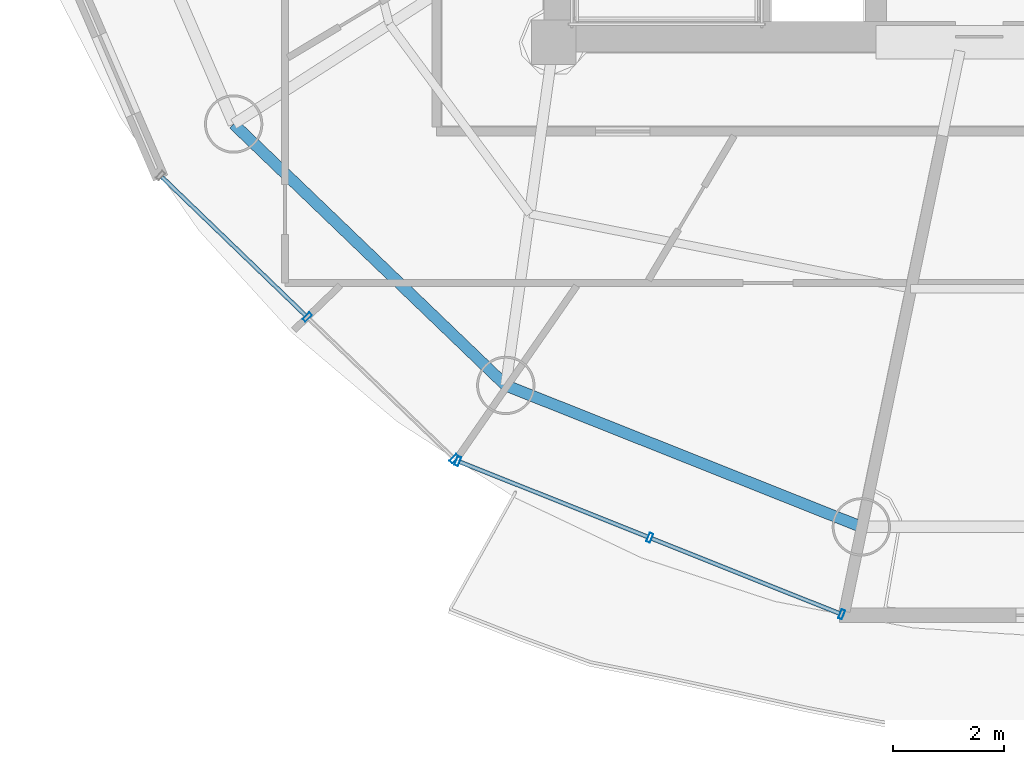
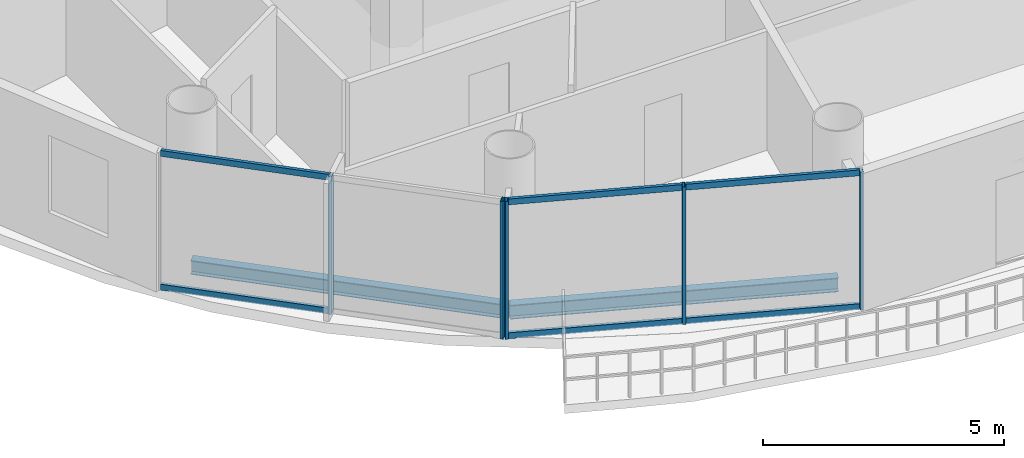
# One storey, part 2 of 23: 11 members, 2 beams, 2 elements without a shape of their own.
"""IFC4 building model written with IfcOpenShell, lengths in metres."""

from ifc_helpers import new_model, si_unit, direction, frame, origin, origin_2d, place, context, subcontext, project, spatial, hollow_rectangle, i_section, extrude, source, transform, mapped, material, material_profile, profile_set, type_object, element, aggregate, save


model = new_model("IFC4")

# Units and contexts
model_context = context("Model", 3, precision=1e-05, world=origin(), true_north=direction((-0.2419218956, 0.970295726276)))
body_context = subcontext(model_context, "Body", "Model", "MODEL_VIEW")
ifc_project = project(units=[si_unit("LENGTHUNIT", "METRE"), si_unit("AREAUNIT", "SQUARE_METRE"), si_unit("VOLUMEUNIT", "CUBIC_METRE"), si_unit("PLANEANGLEUNIT", "RADIAN"), si_unit("MASSUNIT", "GRAM", prefix="KILO")], contexts=[model_context])

# Site, building, storey
site_placement = place(None, origin())
site = spatial("IfcSite", under=ifc_project, at=site_placement, CompositionType="ELEMENT")
building_placement = place(site_placement, origin())
building = spatial("IfcBuilding", under=site, at=building_placement, Name="Cobrevalo Terracotta Tower", CompositionType="ELEMENT")
storey_placement = place(building_placement, frame((0.0, 0.0, 255.699951171875)))
storey = spatial("IfcBuildingStorey", under=building, at=storey_placement, Name="L67", CompositionType="ELEMENT", Elevation=255.699951171875)

# Beams
ifc_material_1 = material(Name="Steel S355", Category="steel")
ifc_material_profile_1 = material_profile(ifc_material_1, i_section(OverallWidth=0.205078125, OverallDepth=0.35400390625, WebThickness=0.009521484375, FlangeThickness=0.016845703125, at=origin_2d()), Name="W 360x79")
ifc_profile_set_1 = profile_set([ifc_material_profile_1], Name="Steel S355")
beam_type = type_object("IfcBeamType", Name="Structural Spandrel W 360x79 (Steel S355)", PredefinedType="SPANDREL", material=ifc_profile_set_1)
beam_1_placement = place(storey_placement, frame((23.241455078125, 17.32763671875, -0.43701171875), z_axis=(0.721183246144, -0.692744343522, 0.0), x_axis=(0.692744343522, 0.721183246144, 0.0)))
element("IfcBeam", 1, at=beam_1_placement, inside=storey, type_object=beam_type, Name="L67 perimeter ring spandrel 10", PredefinedType="SPANDREL", context=body_context, shape_type="SweptSolid", body=[
    extrude(i_section(OverallWidth=0.205078125, OverallDepth=0.35400390625, WebThickness=0.009521484375, FlangeThickness=0.016845703125, at=origin_2d()), origin(), (0.0, 0.0, 1.0), 6.79052734375),
])
beam_2_placement = place(storey_placement, frame((28.138671875, 12.62353515625, -0.43701171875), z_axis=(0.929149986048, -0.369702993533, 0.0), x_axis=(0.369702993533, 0.929149986048, 0.0)))
element("IfcBeam", 2, at=beam_2_placement, inside=storey, type_object=beam_type, Name="L67 perimeter ring spandrel 11", PredefinedType="SPANDREL", context=body_context, shape_type="SweptSolid", body=[
    extrude(i_section(OverallWidth=0.205078125, OverallDepth=0.35400390625, WebThickness=0.009521484375, FlangeThickness=0.016845703125, at=origin_2d()), origin(), (0.0, 0.0, 1.0), 6.88623046875),
])

# Curtain wall, members
ifc_material_2 = material(Name="Anodized aluminium", Category="aluminium")
curtain_wall_type = type_object("IfcCurtainWallType", Name="Upper-tower triple-glazed penthouse curtain wall CW-U3", PredefinedType="NOTDEFINED", material=ifc_material_2)
curtain_wall_1_placement = place(storey_placement, origin())
curtain_wall_1 = element("IfcCurtainWall", 3, at=curtain_wall_1_placement, inside=storey, type_object=curtain_wall_type, Name="L67 curtain wall CW-L67-S10", PredefinedType="NOTDEFINED")
ifc_material_profile_2 = material_profile(ifc_material_2, hollow_rectangle(XDim=0.070068359375, YDim=0.169921875, WallThickness=0.00439453125, at=origin_2d()), Name="CWM 70x170")
ifc_profile_set_2 = profile_set([ifc_material_profile_2], Name="Anodized aluminium")
member_type_1 = type_object("IfcMemberType", Name="Upper tower unitised mullion 70x170", PredefinedType="MULLION", material=ifc_profile_set_2)
shared_shape_1 = source(origin(), body_context, "Body", "SweptSolid", [
    extrude(hollow_rectangle(XDim=0.070068359375, YDim=0.169921875, WallThickness=0.00439453125, at=origin_2d()), origin(), (0.0, 0.0, 1.0), 3.489990234375),
])
member_1_placement = place(storey_placement, frame((24.56640625, 13.85205078125, 0.0), z_axis=(0.0, 0.0, 1.0), x_axis=(0.71999418085, -0.69398010025, 0.0)))
member_1 = element("IfcMember", 4, at=member_1_placement, type_object=member_type_1, Name="CW-L67-S10 vertical mullion 02", PredefinedType="MULLION", context=body_context, shape_type="MappedRepresentation", body=[
    mapped(shared_shape_1, transform((0.0, 0.0, 0.0), scale=1.0)),
])
member_2_placement = place(storey_placement, frame((27.209716796875, 11.30419921875, 0.0), z_axis=(0.0, 0.0, 1.0), x_axis=(0.71999418085, -0.69398010025, 0.0)))
member_2 = element("IfcMember", 5, at=member_2_placement, type_object=member_type_1, Name="CW-L67-S10 vertical mullion 03", PredefinedType="MULLION", context=body_context, shape_type="MappedRepresentation", body=[
    mapped(shared_shape_1, transform((0.0, 0.0, 0.0), scale=1.0)),
])

curtain_wall_2_placement = place(storey_placement, origin())
curtain_wall_2 = element("IfcCurtainWall", 6, at=curtain_wall_2_placement, inside=storey, type_object=curtain_wall_type, Name="L67 curtain wall CW-L67-S11", PredefinedType="NOTDEFINED")
member_3_placement = place(storey_placement, frame((27.275634765625, 11.26171875, 0.0), z_axis=(0.0, 0.0, 1.0), x_axis=(0.928718980883, -0.370784377433, 0.0)))
member_3 = element("IfcMember", 7, at=member_3_placement, type_object=member_type_1, Name="CW-L67-S11 vertical mullion 01", PredefinedType="MULLION", context=body_context, shape_type="MappedRepresentation", body=[
    mapped(shared_shape_1, transform((0.0, 0.0, 0.0), scale=1.0)),
])
member_4_placement = place(storey_placement, frame((30.729736328125, 9.882568359375, 0.0), z_axis=(0.0, 0.0, 1.0), x_axis=(0.928718980883, -0.370784377433, 0.0)))
member_4 = element("IfcMember", 8, at=member_4_placement, type_object=member_type_1, Name="CW-L67-S11 vertical mullion 02", PredefinedType="MULLION", context=body_context, shape_type="MappedRepresentation", body=[
    mapped(shared_shape_1, transform((0.0, 0.0, 0.0), scale=1.0)),
])
member_5_placement = place(storey_placement, frame((34.183837890625, 8.503662109375, 0.0), z_axis=(0.0, 0.0, 1.0), x_axis=(0.928718980883, -0.370784377433, 0.0)))
member_5 = element("IfcMember", 9, at=member_5_placement, type_object=member_type_1, Name="CW-L67-S11 vertical mullion 03", PredefinedType="MULLION", context=body_context, shape_type="MappedRepresentation", body=[
    mapped(shared_shape_1, transform((0.0, 0.0, 0.0), scale=1.0)),
])

# Member
ifc_material_profile_3 = material_profile(ifc_material_2, hollow_rectangle(XDim=0.074951171875, YDim=0.14990234375, WallThickness=0.00439453125, at=origin_2d()), Name="CWT 75x150")
ifc_profile_set_3 = profile_set([ifc_material_profile_3], Name="Anodized aluminium")
member_type_2 = type_object("IfcMemberType", Name="Tower unitised aluminium transom 75x150", PredefinedType="USERDEFINED", material=ifc_profile_set_3)
shared_shape_2 = source(origin(), body_context, "Body", "SweptSolid", [
    extrude(hollow_rectangle(XDim=0.074951171875, YDim=0.14990234375, WallThickness=0.00439453125, at=origin_2d()), origin(), (0.0, 0.0, 1.0), 3.59130859375),
])
member_6_placement = place(storey_placement, frame((21.9521484375, 16.3720703125, 0.050048828125), z_axis=(0.719971660756, -0.694003463758, 0.0), x_axis=(0.694003463758, 0.719971660756, 0.0)))
member_6 = element("IfcMember", 10, at=member_6_placement, type_object=member_type_2, Name="CW-L67-S10 transom B01-T1", ObjectType="TRANSOM", PredefinedType="USERDEFINED", context=body_context, shape_type="MappedRepresentation", body=[
    mapped(shared_shape_2, transform((0.0, 0.0, 0.0), scale=1.0)),
])

member_7_placement = place(storey_placement, frame((21.9521484375, 16.3720703125, 3.43994140625), z_axis=(0.719971660756, -0.694003463758, 0.0), x_axis=(0.694003463758, 0.719971660756, 0.0)))
member_7 = element("IfcMember", 11, at=member_7_placement, type_object=member_type_2, Name="CW-L67-S10 transom B01-T2", ObjectType="TRANSOM", PredefinedType="USERDEFINED", context=body_context, shape_type="MappedRepresentation", body=[
    mapped(shared_shape_2, transform((0.0, 0.0, 0.0), scale=1.0)),
])

aggregate(curtain_wall_1, [member_1, member_2, member_6, member_7])

shared_shape_3 = source(origin(), body_context, "Body", "SweptSolid", [
    extrude(hollow_rectangle(XDim=0.074951171875, YDim=0.14990234375, WallThickness=0.00439453125, at=origin_2d()), origin(), (0.0, 0.0, 1.0), 3.63916015625),
])
member_8_placement = place(storey_placement, frame((27.31298828125, 11.246826171875, 0.050048828125), z_axis=(0.928712471544, -0.370800681227, 0.0), x_axis=(0.370800681227, 0.928712471544, 0.0)))
member_8 = element("IfcMember", 12, at=member_8_placement, type_object=member_type_2, Name="CW-L67-S11 transom B01-T1", ObjectType="TRANSOM", PredefinedType="USERDEFINED", context=body_context, shape_type="MappedRepresentation", body=[
    mapped(shared_shape_3, transform((0.0, 0.0, 0.0), scale=1.0)),
])

member_9_placement = place(storey_placement, frame((27.31298828125, 11.246826171875, 3.43994140625), z_axis=(0.928712471544, -0.370800681227, 0.0), x_axis=(0.370800681227, 0.928712471544, 0.0)))
member_9 = element("IfcMember", 13, at=member_9_placement, type_object=member_type_2, Name="CW-L67-S11 transom B01-T2", ObjectType="TRANSOM", PredefinedType="USERDEFINED", context=body_context, shape_type="MappedRepresentation", body=[
    mapped(shared_shape_3, transform((0.0, 0.0, 0.0), scale=1.0)),
])

member_10_placement = place(storey_placement, frame((30.76708984375, 9.86767578125, 0.050048828125), z_axis=(0.928712471544, -0.370800681227, 0.0), x_axis=(0.370800681227, 0.928712471544, 0.0)))
member_10 = element("IfcMember", 14, at=member_10_placement, type_object=member_type_2, Name="CW-L67-S11 transom B02-T1", ObjectType="TRANSOM", PredefinedType="USERDEFINED", context=body_context, shape_type="MappedRepresentation", body=[
    mapped(shared_shape_3, transform((0.0, 0.0, 0.0), scale=1.0)),
])

member_11_placement = place(storey_placement, frame((30.76708984375, 9.86767578125, 3.43994140625), z_axis=(0.928712471544, -0.370800681227, 0.0), x_axis=(0.370800681227, 0.928712471544, 0.0)))
member_11 = element("IfcMember", 15, at=member_11_placement, type_object=member_type_2, Name="CW-L67-S11 transom B02-T2", ObjectType="TRANSOM", PredefinedType="USERDEFINED", context=body_context, shape_type="MappedRepresentation", body=[
    mapped(shared_shape_3, transform((0.0, 0.0, 0.0), scale=1.0)),
])

aggregate(curtain_wall_2, [member_3, member_4, member_5, member_8, member_9, member_10, member_11])

save(model, "model.ifc")
